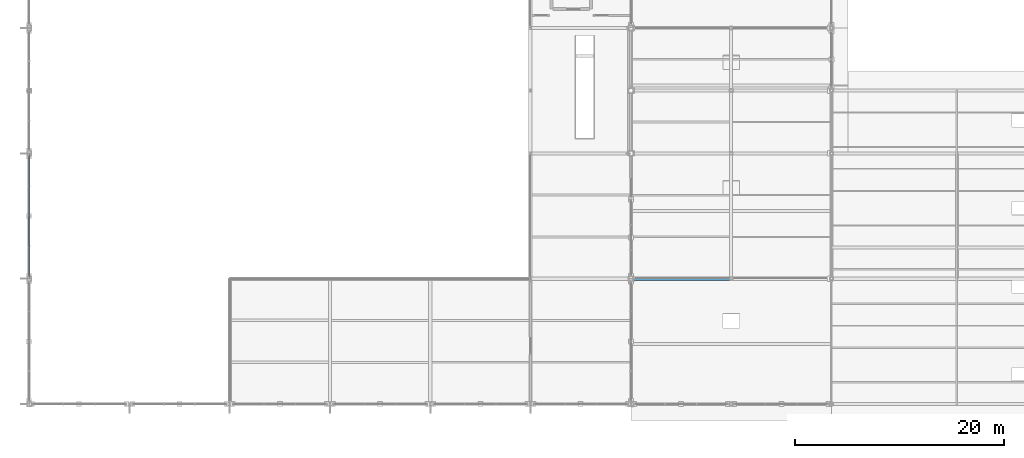
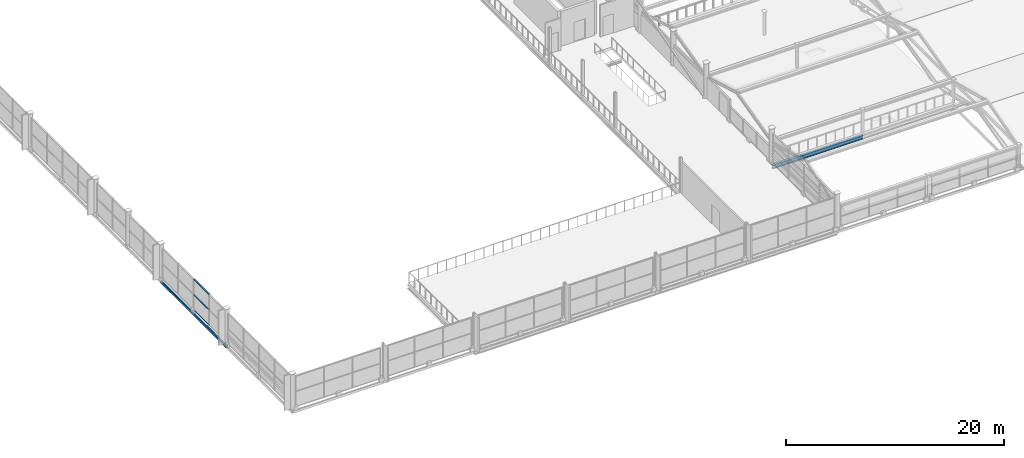
# One storey, part 32 of 117: 3 members, 2 beams, 1 element without a shape of its own.
"""IFC4 building model written with IfcOpenShell, lengths in metres."""

from ifc_helpers import new_model, si_unit, direction, frame, origin, origin_2d, place, context, subcontext, project, spatial, hollow_rectangle, i_section, extrude, material, material_profile, profile_set, type_object, element, aggregate, save


model = new_model("IFC4")

# Units and contexts
model_context = context("Model", 3, precision=1e-05, world=origin(), true_north=direction((0.0, 1.0)))
body_context = subcontext(model_context, "Body", "Model", "MODEL_VIEW")
ifc_project = project(units=[si_unit("LENGTHUNIT", "METRE"), si_unit("AREAUNIT", "SQUARE_METRE"), si_unit("VOLUMEUNIT", "CUBIC_METRE"), si_unit("PLANEANGLEUNIT", "RADIAN"), si_unit("MASSUNIT", "GRAM", prefix="KILO")], contexts=[model_context])

# Site, building, storey
site_placement = place(None, origin())
site = spatial("IfcSite", under=ifc_project, at=site_placement, CompositionType="ELEMENT")
building_placement = place(site_placement, origin())
building = spatial("IfcBuilding", under=site, at=building_placement, Name="Merenkruunu Market Hall", CompositionType="ELEMENT")
storey_placement = place(building_placement, frame((0.0, 0.0, 10.199951171875)))
storey = spatial("IfcBuildingStorey", under=building, at=storey_placement, Name="L02", CompositionType="ELEMENT", Elevation=10.199951171875)

# Curtain wall, members
ifc_material_1 = material(Name="Powder-coated aluminium", Category="aluminium")
curtain_wall_type = type_object("IfcCurtainWallType", Name="Glazed Curtain Wall CW13", PredefinedType="USERDEFINED", material=ifc_material_1)
curtain_wall_placement = place(storey_placement, origin())
curtain_wall = element("IfcCurtainWall", 1, at=curtain_wall_placement, inside=storey, type_object=curtain_wall_type, Name="CW-L02-CWM02-006", ObjectType="GLAZED_FACADE", PredefinedType="USERDEFINED")
ifc_material_profile_1 = material_profile(ifc_material_1, hollow_rectangle(XDim=0.06005859375, YDim=0.139892578125, WallThickness=0.00390625, at=origin_2d()), Name="ALU 60x140x4")
ifc_profile_set_1 = profile_set([ifc_material_profile_1], Name="Powder-coated aluminium")
member_type = type_object("IfcMemberType", Name="Curtain Wall Transom CWT02", PredefinedType="USERDEFINED", material=ifc_profile_set_1)
member_1_placement = place(storey_placement, frame((0.0, 30.77001953125, 0.030029296875), z_axis=(0.0, 1.0, 0.0), x_axis=(0.0, 0.0, 1.0)))
member_1 = element("IfcMember", 2, at=member_1_placement, type_object=member_type, Name="CW13 transom 2.1", ObjectType="TRANSOM", PredefinedType="USERDEFINED", context=body_context, shape_type="SweptSolid", body=[
    extrude(hollow_rectangle(XDim=0.06005859375, YDim=0.139892578125, WallThickness=0.00390625, at=origin_2d()), origin(), (0.0, 0.0, 1.0), 2.800048828125),
])
member_2_placement = place(storey_placement, frame((0.0, 30.77001953125, 1.75), z_axis=(0.0, 1.0, 0.0), x_axis=(0.0, 0.0, 1.0)))
member_2 = element("IfcMember", 3, at=member_2_placement, type_object=member_type, Name="CW13 transom 2.2", ObjectType="TRANSOM", PredefinedType="USERDEFINED", context=body_context, shape_type="SweptSolid", body=[
    extrude(hollow_rectangle(XDim=0.06005859375, YDim=0.139892578125, WallThickness=0.00390625, at=origin_2d()), origin(), (0.0, 0.0, 1.0), 2.800048828125),
])
member_3_placement = place(storey_placement, frame((0.0, 30.77001953125, 3.469970703125), z_axis=(0.0, 1.0, 0.0), x_axis=(0.0, 0.0, 1.0)))
member_3 = element("IfcMember", 4, at=member_3_placement, type_object=member_type, Name="CW13 transom 2.3", ObjectType="TRANSOM", PredefinedType="USERDEFINED", context=body_context, shape_type="SweptSolid", body=[
    extrude(hollow_rectangle(XDim=0.06005859375, YDim=0.139892578125, WallThickness=0.00390625, at=origin_2d()), origin(), (0.0, 0.0, 1.0), 2.800048828125),
])
aggregate(curtain_wall, [member_1, member_2, member_3])

# Beams
ifc_material_2 = material(Name="Steel S355J2", Category="steel")
ifc_material_profile_2 = material_profile(ifc_material_2, hollow_rectangle(XDim=0.14990234375, YDim=0.300048828125, WallThickness=0.012451171875, InnerFilletRadius=0.012451171875, OuterFilletRadius=0.02490234375, at=origin_2d()), Name="RHS 300x150x12.5")
ifc_profile_set_2 = profile_set([ifc_material_profile_2], Name="Steel S355J2")
beam_type_1 = type_object("IfcBeamType", Name="Perimeter Spandrel Beam SP03", PredefinedType="SPANDREL", material=ifc_profile_set_2)
beam_1_placement = place(storey_placement, frame((0.0, 27.60009765625, -0.4599609375), z_axis=(0.0, 1.0, 0.0), x_axis=(-1.0, 0.0, 0.0)))
element("IfcBeam", 5, at=beam_1_placement, inside=storey, type_object=beam_type_1, Name="BM-L02-SP03-1222", PredefinedType="SPANDREL", context=body_context, shape_type="SweptSolid", body=[
    extrude(hollow_rectangle(XDim=0.14990234375, YDim=0.300048828125, WallThickness=0.012451171875, InnerFilletRadius=0.012451171875, OuterFilletRadius=0.02490234375, at=origin_2d()), origin(), (0.0, 0.0, 1.0), 12.0),
])
ifc_material_profile_3 = material_profile(ifc_material_2, i_section(OverallWidth=0.300048828125, OverallDepth=0.43994140625, WebThickness=0.011474609375, FlangeThickness=0.02099609375, FilletRadius=0.027099609375, at=origin_2d()), Name="HEA 450")
ifc_profile_set_3 = profile_set([ifc_material_profile_3], Name="Steel S355J2")
beam_type_2 = type_object("IfcBeamType", Name="Primary Floor Girder B07", PredefinedType="BEAM", material=ifc_profile_set_3)
beam_2_placement = place(storey_placement, frame((57.60009765625, 27.60009765625, -0.489990234375), z_axis=(1.0, 0.0, 0.0), x_axis=(0.0, 1.0, 0.0)))
element("IfcBeam", 6, at=beam_2_placement, inside=storey, type_object=beam_type_2, Name="BM-L02-B07-0756", PredefinedType="BEAM", context=body_context, shape_type="SweptSolid", body=[
    extrude(i_section(OverallWidth=0.300048828125, OverallDepth=0.43994140625, WebThickness=0.011474609375, FlangeThickness=0.02099609375, FilletRadius=0.027099609375, at=origin_2d()), origin(), (0.0, 0.0, 1.0), 9.599853515625),
])

save(model, "model.ifc")
